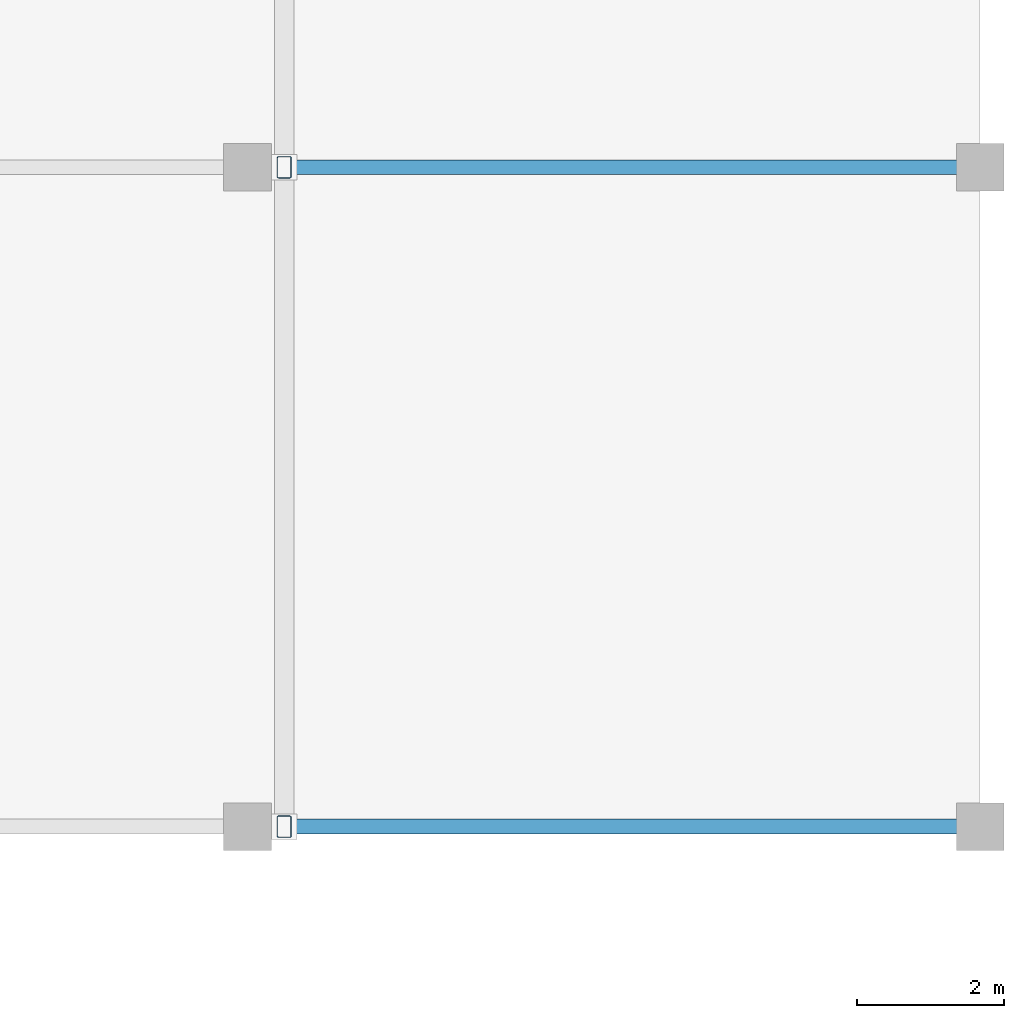
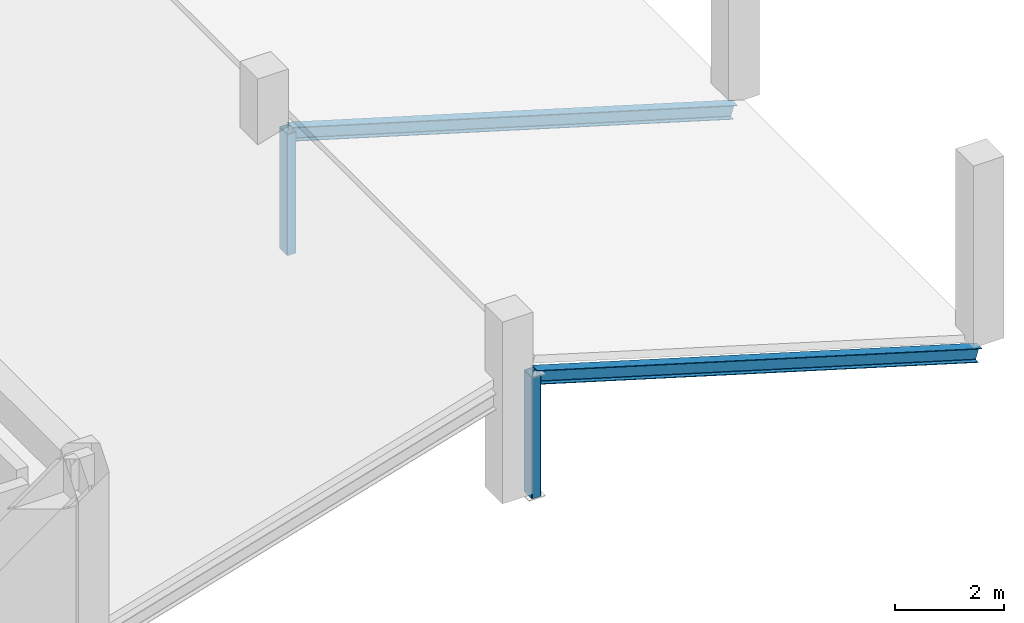
# One storey, part 57 of 80: 4 members.
"""IFC4 building model written with IfcOpenShell, lengths in metres."""

from ifc_helpers import new_model, si_unit, direction, frame, origin, origin_2d, place, context, subcontext, project, spatial, hollow_rectangle, i_section, extrude, material, material_profile, profile_set, type_object, element, save


model = new_model("IFC4")

# Units and contexts
model_context = context("Model", 3, precision=1e-05, world=origin(), true_north=direction((0.0, 1.0)))
body_context = subcontext(model_context, "Body", "Model", "MODEL_VIEW")
ifc_project = project(units=[si_unit("LENGTHUNIT", "METRE"), si_unit("AREAUNIT", "SQUARE_METRE"), si_unit("VOLUMEUNIT", "CUBIC_METRE"), si_unit("PLANEANGLEUNIT", "RADIAN"), si_unit("MASSUNIT", "GRAM", prefix="KILO")], contexts=[model_context])

# Site, building, storey
site_placement = place(None, origin())
site = spatial("IfcSite", under=ifc_project, at=site_placement, CompositionType="ELEMENT")
building_placement = place(site_placement, origin())
building = spatial("IfcBuilding", under=site, at=building_placement, Name="Miravela Opera House", CompositionType="ELEMENT")
storey_placement = place(building_placement, frame((0.0, 0.0, 17.679931640625)))
storey = spatial("IfcBuildingStorey", under=building, at=storey_placement, Name="L04", CompositionType="ELEMENT", Elevation=17.679931640625)

# Members
ifc_material_1 = material(Name="Hollow structural steel ASTM A500 Gr. C", Category="steel")
ifc_material_profile_1 = material_profile(ifc_material_1, hollow_rectangle(XDim=0.199951171875, YDim=0.300048828125, WallThickness=0.011962890625, InnerFilletRadius=0.011962890625, OuterFilletRadius=0.02392578125, at=origin_2d()), Name="HSS300X200X12")
ifc_profile_set_1 = profile_set([ifc_material_profile_1])
member_type_1 = type_object("IfcMemberType", Name="STR-MEM-POST-HSS300X200", PredefinedType="POST", material=ifc_profile_set_1)
for number, where, z_axis, x_axis, name in (
    (1, (144.5, 37.0, -0.25), (0.0, 0.0, 1.0), (1.0, 0.0, 0.0), "Roof Gable King Post ROOF-V2-REAR S"),
    (2, (144.5, 46.0, -0.25), (0.0, 0.0, 1.0), (1.0, 0.0, 0.0), "Roof Ridge Support Post ROOF-V2-REAR M1"),
):
    element("IfcMember", number, at=place(storey_placement, frame(where, z_axis=z_axis, x_axis=x_axis)), inside=storey, type_object=member_type_1, Name=name, PredefinedType="POST", context=body_context, shape_type="SweptSolid", body=[
        extrude(hollow_rectangle(XDim=0.199951171875, YDim=0.300048828125, WallThickness=0.011962890625, InnerFilletRadius=0.011962890625, OuterFilletRadius=0.02392578125, at=origin_2d()), origin(), (0.0, 0.0, 1.0), 2.719970703125),
    ])
ifc_material_2 = material(Name="Structural steel ASTM A992 Gr. 50", Category="steel")
ifc_material_profile_2 = material_profile(ifc_material_2, i_section(OverallWidth=0.202880859375, OverallDepth=0.302978515625, WebThickness=0.007568359375, FlangeThickness=0.01318359375, FilletRadius=0.012939453125, at=origin_2d()), Name="W310X60")
ifc_profile_set_2 = profile_set([ifc_material_profile_2])
member_type_2 = type_object("IfcMemberType", Name="STR-MEM-RAFTER-2", PredefinedType="RAFTER", material=ifc_profile_set_2)
for number, where, z_axis, x_axis, name in (
    (3, (153.949951171875, 37.0, -0.39990234375), (-0.958519352545, 0.0, 0.285027456217), (0.0, -1.0, 0.0), "Pitched Roof Rafter ROOF-V2-REAR E0"),
    (4, (153.949951171875, 46.0, -0.39990234375), (-0.958519352545, 0.0, 0.285027456217), (0.0, -1.0, 0.0), "Pitched Roof Rafter ROOF-V2-REAR E1"),
):
    element("IfcMember", number, at=place(storey_placement, frame(where, z_axis=z_axis, x_axis=x_axis)), inside=storey, type_object=member_type_2, Name=name, PredefinedType="RAFTER", context=body_context, shape_type="SweptSolid", body=[
        extrude(i_section(OverallWidth=0.202880859375, OverallDepth=0.302978515625, WebThickness=0.007568359375, FlangeThickness=0.01318359375, FilletRadius=0.012939453125, at=origin_2d()), origin(), (0.0, 0.0, 1.0), 9.85888671875),
    ])

save(model, "model.ifc")
